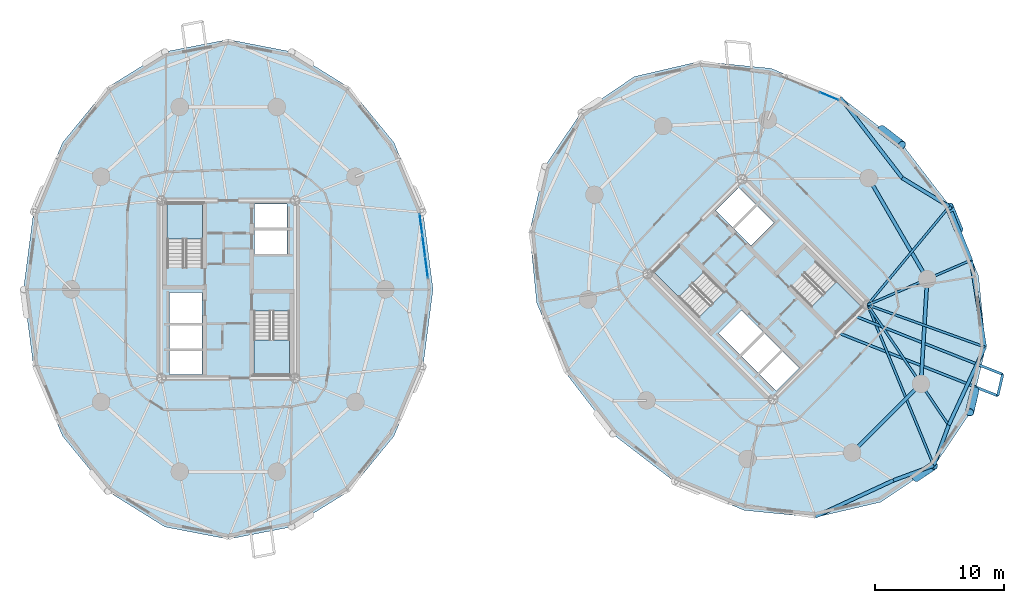
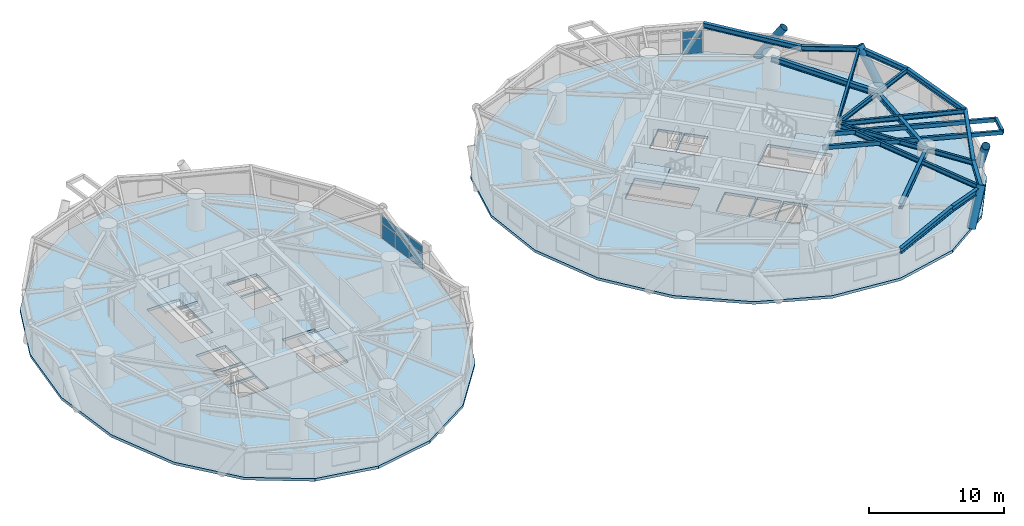
# One storey, part 8 of 16: 19 beams, 8 plates, 6 slabs, 4 members, 6 elements without a shape of their own.
"""IFC4 building model written with IfcOpenShell, lengths in metres."""

from ifc_helpers import new_model, si_unit, direction, frame, origin, origin_2d, place, context, subcontext, project, spatial, polyline, rectangle, hollow_rectangle, hollow_circle, i_section, outline, extrude, source, transform, mapped, material, layer, layer_set, material_profile, profile_set, type_object, element, aggregate, save


model = new_model("IFC4")

# Units and contexts
model_context = context("Model", 3, precision=1e-05, world=origin(), true_north=direction((0.0, 1.0)))
body_context = subcontext(model_context, "Body", "Model", "MODEL_VIEW")
ifc_project = project(units=[si_unit("LENGTHUNIT", "METRE"), si_unit("AREAUNIT", "SQUARE_METRE"), si_unit("VOLUMEUNIT", "CUBIC_METRE"), si_unit("PLANEANGLEUNIT", "RADIAN"), si_unit("MASSUNIT", "GRAM", prefix="KILO")], contexts=[model_context])

# Site, building, storey
site_placement = place(None, origin())
site = spatial("IfcSite", under=ifc_project, at=site_placement, CompositionType="ELEMENT")
building_placement = place(site_placement, origin())
building = spatial("IfcBuilding", under=site, at=building_placement, Name="Cununo Teusaquillo Station Towers", CompositionType="ELEMENT")
storey_placement = place(building_placement, frame((0.0, 0.0, 73.06005859375)))
storey = spatial("IfcBuildingStorey", under=building, at=storey_placement, Name="L22", CompositionType="ELEMENT", Elevation=73.06005859375)

# Beams
ifc_material_1 = material(Name="Steel EN 10025-2 S355J2", Category="steel")
ifc_material_profile_1 = material_profile(ifc_material_1, hollow_rectangle(XDim=0.199951171875, YDim=0.35009765625, WallThickness=0.013916015625, at=origin_2d()), Name="RHS 350x200x14")
ifc_profile_set_1 = profile_set([ifc_material_profile_1], Name="Steel EN 10025-2 S355J2")
beam_type_1 = type_object("IfcBeamType", Name="BM-BAL-CANT", PredefinedType="BEAM", material=ifc_profile_set_1)
beam_1_placement = place(storey_placement, frame((63.593505859375, 21.188720703125, 2.494873046875), z_axis=(0.930217566196, -0.367008555132, 0.0), x_axis=(0.367008555132, 0.930217566196, 0.0)))
element("IfcBeam", 1, at=beam_1_placement, inside=storey, type_object=beam_type_1, Name="L22 Tower B Balcony Cantilever Bracket 2A", PredefinedType="BEAM", context=body_context, shape_type="SweptSolid", body=[
    extrude(hollow_rectangle(XDim=0.199951171875, YDim=0.35009765625, WallThickness=0.013916015625, at=origin_2d()), origin(), (0.0, 0.0, 1.0), 13.44140625),
])
beam_2_placement = place(storey_placement, frame((64.894287109375, 22.48974609375, 2.494873046875), z_axis=(0.930220364523, -0.367001462432, 0.0), x_axis=(0.367001462432, 0.930220364523, 0.0)))
element("IfcBeam", 2, at=beam_2_placement, inside=storey, type_object=beam_type_1, Name="L22 Tower B Balcony Cantilever Bracket 2B", PredefinedType="BEAM", context=body_context, shape_type="SweptSolid", body=[
    extrude(hollow_rectangle(XDim=0.199951171875, YDim=0.35009765625, WallThickness=0.013916015625, at=origin_2d()), origin(), (0.0, 0.0, 1.0), 12.459716796875),
])
ifc_material_2 = material(Name="Steel ASTM A572 Grade 50", Category="steel")
ifc_material_profile_2 = material_profile(ifc_material_2, i_section(OverallWidth=0.180908203125, OverallDepth=0.4169921875, WebThickness=0.010986328125, FlangeThickness=0.018310546875, FilletRadius=0.012939453125, at=origin_2d()), Name="W16X57")
ifc_profile_set_2 = profile_set([ifc_material_profile_2], Name="Steel ASTM A572 Grade 50")
beam_type_2 = type_object("IfcBeamType", Name="BM-JOIST-1", PredefinedType="JOIST", material=ifc_profile_set_2)
beam_3_placement = place(storey_placement, frame((66.024169921875, 23.29443359375, 2.46142578125), z_axis=(0.380485864505, -0.924786735908, 0.0), x_axis=(0.924786735908, 0.380485864505, 0.0)))
element("IfcBeam", 3, at=beam_3_placement, inside=storey, type_object=beam_type_2, Name="L22 Tower B Radial Spandrel Joist V15", PredefinedType="JOIST", context=body_context, shape_type="SweptSolid", body=[
    extrude(i_section(OverallWidth=0.180908203125, OverallDepth=0.4169921875, WebThickness=0.010986328125, FlangeThickness=0.018310546875, FilletRadius=0.012939453125, at=origin_2d()), origin(), (0.0, 0.0, 1.0), 13.44580078125),
])
beam_4_placement = place(storey_placement, frame((66.024169921875, 23.29443359375, 2.46142578125), z_axis=(0.941082771055, -0.338176312038, 0.0), x_axis=(0.338176312038, 0.941082771055, 0.0)))
element("IfcBeam", 4, at=beam_4_placement, inside=storey, type_object=beam_type_2, Name="L22 Tower B Radial Spandrel Joist V17", PredefinedType="JOIST", context=body_context, shape_type="SweptSolid", body=[
    extrude(i_section(OverallWidth=0.180908203125, OverallDepth=0.4169921875, WebThickness=0.010986328125, FlangeThickness=0.018310546875, FilletRadius=0.012939453125, at=origin_2d()), origin(), (0.0, 0.0, 1.0), 9.646484375),
])
beam_5_placement = place(storey_placement, frame((66.024169921875, 23.29443359375, 2.46142578125), z_axis=(0.638372238196, 0.769727799615, 0.0), x_axis=(-0.769727799615, 0.638372238196, 0.0)))
element("IfcBeam", 5, at=beam_5_placement, inside=storey, type_object=beam_type_2, Name="L22 Tower B Radial Spandrel Joist V19", PredefinedType="JOIST", context=body_context, shape_type="SweptSolid", body=[
    extrude(i_section(OverallWidth=0.180908203125, OverallDepth=0.4169921875, WebThickness=0.010986328125, FlangeThickness=0.018310546875, FilletRadius=0.012939453125, at=origin_2d()), origin(), (0.0, 0.0, 1.0), 9.895263671875),
])
ifc_material_3 = material(Name="Steel ASTM A572 Grade 50", Category="steel")
ifc_material_profile_3 = material_profile(ifc_material_3, i_section(OverallWidth=0.180908203125, OverallDepth=0.4169921875, WebThickness=0.010986328125, FlangeThickness=0.018310546875, FilletRadius=0.012939453125, at=origin_2d()), Name="W16X57")
ifc_profile_set_3 = profile_set([ifc_material_profile_3], Name="Steel ASTM A572 Grade 50")
beam_type_3 = type_object("IfcBeamType", Name="BM-RAD-G2", PredefinedType="BEAM", material=ifc_profile_set_3)
beam_6_placement = place(storey_placement, frame((66.024169921875, 23.29443359375, 2.46142578125), z_axis=(0.558572297481, -0.82945583878, 0.0), x_axis=(0.82945583878, 0.558572297481, 0.0)))
element("IfcBeam", 6, at=beam_6_placement, inside=storey, type_object=beam_type_3, Name="L22 Tower B Continuous Overhanging Radial Girder 09", PredefinedType="BEAM", context=body_context, shape_type="SweptSolid", body=[
    extrude(i_section(OverallWidth=0.180908203125, OverallDepth=0.4169921875, WebThickness=0.010986328125, FlangeThickness=0.018310546875, FilletRadius=0.012939453125, at=origin_2d()), origin(), (0.0, 0.0, 1.0), 11.22998046875),
])
beam_7_placement = place(storey_placement, frame((66.024169921875, 23.29443359375, 2.46142578125), z_axis=(0.917654733344, 0.397378648609, 0.0), x_axis=(-0.397378648609, 0.917654733344, 0.0)))
element("IfcBeam", 7, at=beam_7_placement, inside=storey, type_object=beam_type_3, Name="L22 Tower B Continuous Overhanging Radial Girder 10", PredefinedType="BEAM", context=body_context, shape_type="SweptSolid", body=[
    extrude(i_section(OverallWidth=0.180908203125, OverallDepth=0.4169921875, WebThickness=0.010986328125, FlangeThickness=0.018310546875, FilletRadius=0.012939453125, at=origin_2d()), origin(), (0.0, 0.0, 1.0), 8.71484375),
])
ifc_material_4 = material(Name="Steel ASTM A572 Grade 50", Category="steel")
ifc_material_profile_4 = material_profile(ifc_material_4, i_section(OverallWidth=0.280029296875, OverallDepth=0.462890625, WebThickness=0.0107421875, FlangeThickness=0.017333984375, FilletRadius=0.013916015625, at=origin_2d()), Name="W18X76")
ifc_profile_set_4 = profile_set([ifc_material_profile_4], Name="Steel ASTM A572 Grade 50")
beam_type_4 = type_object("IfcBeamType", Name="BM-RING-Z2", PredefinedType="SPANDREL", material=ifc_profile_set_4)
beam_8_placement = place(storey_placement, frame((64.826904296875, 11.853759765625, 2.4384765625), z_axis=(0.707106781187, 0.707106781187, 0.0), x_axis=(-0.707106781187, 0.707106781187, 0.0)))
element("IfcBeam", 8, at=beam_8_placement, inside=storey, type_object=beam_type_4, Name="L22 Tower B Structural Column Ring Girder 08", PredefinedType="SPANDREL", context=body_context, shape_type="SweptSolid", body=[
    extrude(i_section(OverallWidth=0.280029296875, OverallDepth=0.462890625, WebThickness=0.0107421875, FlangeThickness=0.017333984375, FilletRadius=0.013916015625, at=origin_2d()), origin(), (0.0, 0.0, 1.0), 7.522705078125),
])
beam_9_placement = place(storey_placement, frame((70.146240234375, 17.173095703125, 2.4384765625), z_axis=(0.06012979176, 0.998190567048, 0.0), x_axis=(-0.998190567048, 0.06012979176, 0.0)))
element("IfcBeam", 9, at=beam_9_placement, inside=storey, type_object=beam_type_4, Name="L22 Tower B Structural Column Ring Girder 09", PredefinedType="SPANDREL", context=body_context, shape_type="SweptSolid", body=[
    extrude(i_section(OverallWidth=0.280029296875, OverallDepth=0.462890625, WebThickness=0.0107421875, FlangeThickness=0.017333984375, FilletRadius=0.013916015625, at=origin_2d()), origin(), (0.0, 0.0, 1.0), 8.132568359375),
])
beam_10_placement = place(storey_placement, frame((70.63525390625, 25.291015625, 2.4384765625), z_axis=(-0.501311121078, 0.865267103202, 0.0), x_axis=(-0.865267103202, -0.501311121078, 0.0)))
element("IfcBeam", 10, at=beam_10_placement, inside=storey, type_object=beam_type_4, Name="L22 Tower B Structural Column Ring Girder 10", PredefinedType="SPANDREL", context=body_context, shape_type="SweptSolid", body=[
    extrude(i_section(OverallWidth=0.280029296875, OverallDepth=0.462890625, WebThickness=0.0107421875, FlangeThickness=0.017333984375, FilletRadius=0.013916015625, at=origin_2d()), origin(), (0.0, 0.0, 1.0), 9.032958984375),
])
beam_11_placement = place(storey_placement, frame((68.694580078125, 33.12890625, 2.4384765625), z_axis=(-0.610100441726, 0.792324082056, 0.0), x_axis=(-0.792324082056, -0.610100441726, 0.0)))
element("IfcBeam", 11, at=beam_11_placement, inside=storey, type_object=beam_type_4, Name="L22 Tower B Spandrel Ring Beam 01", PredefinedType="SPANDREL", context=body_context, shape_type="SweptSolid", body=[
    extrude(i_section(OverallWidth=0.280029296875, OverallDepth=0.462890625, WebThickness=0.0107421875, FlangeThickness=0.017333984375, FilletRadius=0.013916015625, at=origin_2d()), origin(), (0.0, 0.0, 1.0), 7.84033203125),
])
beam_12_placement = place(storey_placement, frame((61.9677734375, 6.897705078125, 2.4384765625), z_axis=(0.907275870354, 0.420535961689, 0.0), x_axis=(-0.420535961689, 0.907275870354, 0.0)))
element("IfcBeam", 12, at=beam_12_placement, inside=storey, type_object=beam_type_4, Name="L22 Tower B Spandrel Ring Beam 14", PredefinedType="SPANDREL", context=body_context, shape_type="SweptSolid", body=[
    extrude(i_section(OverallWidth=0.280029296875, OverallDepth=0.462890625, WebThickness=0.0107421875, FlangeThickness=0.017333984375, FilletRadius=0.013916015625, at=origin_2d()), origin(), (0.0, 0.0, 1.0), 6.671142578125),
])
for number, where, z_axis, x_axis, name in (
    (13, (68.020263671875, 9.703125, 2.4384765625), (0.937628334414, 0.347639333943, 0.0), (-0.347639333943, 0.937628334414, 0.0), "L22 Tower B Spandrel Ring Beam 15"),
    (14, (71.14013671875, 10.85986328125, 2.4384765625), (0.347639333943, 0.937628334414, 0.0), (-0.937628334414, 0.347639333943, 0.0), "L22 Tower B Spandrel Ring Beam 16"),
):
    element("IfcBeam", number, at=place(storey_placement, frame(where, z_axis=z_axis, x_axis=x_axis)), inside=storey, type_object=beam_type_4, Name=name, PredefinedType="SPANDREL", context=body_context, shape_type="SweptSolid", body=[
        extrude(i_section(OverallWidth=0.280029296875, OverallDepth=0.462890625, WebThickness=0.0107421875, FlangeThickness=0.017333984375, FilletRadius=0.013916015625, at=origin_2d()), origin(), (0.0, 0.0, 1.0), 3.327392578125),
    ])
beam_13_placement = place(storey_placement, frame((72.296875, 13.979736328125, 2.4384765625), z_axis=(0.420535961689, 0.907275870354, 0.0), x_axis=(-0.907275870354, 0.420535961689, 0.0)))
element("IfcBeam", 15, at=beam_13_placement, inside=storey, type_object=beam_type_4, Name="L22 Tower B Spandrel Ring Beam 17", PredefinedType="SPANDREL", context=body_context, shape_type="SweptSolid", body=[
    extrude(i_section(OverallWidth=0.280029296875, OverallDepth=0.462890625, WebThickness=0.0107421875, FlangeThickness=0.017333984375, FilletRadius=0.013916015625, at=origin_2d()), origin(), (0.0, 0.0, 1.0), 6.671142578125),
])
beam_14_placement = place(storey_placement, frame((75.102294921875, 20.0322265625, 2.4384765625), z_axis=(-0.158671232312, 0.987331474246, 0.0), x_axis=(-0.987331474246, -0.158671232312, 0.0)))
element("IfcBeam", 16, at=beam_14_placement, inside=storey, type_object=beam_type_4, Name="L22 Tower B Spandrel Ring Beam 18", PredefinedType="SPANDREL", context=body_context, shape_type="SweptSolid", body=[
    extrude(i_section(OverallWidth=0.280029296875, OverallDepth=0.462890625, WebThickness=0.0107421875, FlangeThickness=0.017333984375, FilletRadius=0.013916015625, at=origin_2d()), origin(), (0.0, 0.0, 1.0), 6.8115234375),
])
beam_15_placement = place(storey_placement, frame((74.021484375, 26.757568359375, 2.4384765625), z_axis=(-0.375042266631, 0.927007712072, 0.0), x_axis=(-0.927007712072, -0.375042266631, 0.0)))
element("IfcBeam", 17, at=beam_15_placement, inside=storey, type_object=beam_type_4, Name="L22 Tower B Spandrel Ring Beam 19", PredefinedType="SPANDREL", context=body_context, shape_type="SweptSolid", body=[
    extrude(i_section(OverallWidth=0.280029296875, OverallDepth=0.462890625, WebThickness=0.0107421875, FlangeThickness=0.017333984375, FilletRadius=0.013916015625, at=origin_2d()), origin(), (0.0, 0.0, 1.0), 4.480712890625),
])
beam_16_placement = place(storey_placement, frame((72.341064453125, 30.9111328125, 2.4384765625), z_axis=(-0.854388492444, 0.519634779416, 0.0), x_axis=(-0.519634779416, -0.854388492444, 0.0)))
element("IfcBeam", 18, at=beam_16_placement, inside=storey, type_object=beam_type_4, Name="L22 Tower B Spandrel Ring Beam 20", PredefinedType="SPANDREL", context=body_context, shape_type="SweptSolid", body=[
    extrude(i_section(OverallWidth=0.280029296875, OverallDepth=0.462890625, WebThickness=0.0107421875, FlangeThickness=0.017333984375, FilletRadius=0.013916015625, at=origin_2d()), origin(), (0.0, 0.0, 1.0), 4.26806640625),
])
ifc_material_5 = material(Name="Steel EN 10025-2 S355J2", Category="steel")
ifc_material_profile_5 = material_profile(ifc_material_5, hollow_rectangle(XDim=0.199951171875, YDim=0.35009765625, WallThickness=0.013916015625, at=origin_2d()), Name="RHS 350x200x14")
ifc_profile_set_5 = profile_set([ifc_material_profile_5], Name="Steel EN 10025-2 S355J2")
beam_type_5 = type_object("IfcBeamType", Name="BM-STAIR-TRIM", PredefinedType="BEAM", material=ifc_profile_set_5)
beam_17_placement = place(storey_placement, frame((76.096923828125, 16.255615234375, 2.52490234375), z_axis=(0.22725223503, 0.973835931599, 0.0), x_axis=(-0.973835931599, 0.22725223503, 0.0)))
element("IfcBeam", 19, at=beam_17_placement, inside=storey, type_object=beam_type_5, Name="L22 Tower B Balcony Edge Trimmer Beam 2", PredefinedType="BEAM", context=body_context, shape_type="SweptSolid", body=[
    extrude(hollow_rectangle(XDim=0.199951171875, YDim=0.35009765625, WallThickness=0.013916015625, at=origin_2d()), origin(), (0.0, 0.0, 1.0), 1.7060546875),
])

# Members
ifc_material_6 = material(Name="Steel EN 10025-2 S355J2", Category="steel")
ifc_material_profile_6 = material_profile(ifc_material_6, hollow_circle(Radius=0.330078125, WallThickness=0.02490234375, at=origin_2d()), Name="CHS 660x25")
ifc_profile_set_6 = profile_set([ifc_material_profile_6], Name="Steel EN 10025-2 S355J2")
member_type = type_object("IfcMemberType", Name="MBR-DIAG-Z2", PredefinedType="BRACE", material=ifc_profile_set_6)
member_1_placement = place(storey_placement, frame((67.085693359375, 36.895751953125, -0.14013671875), z_axis=(0.449277419576, -0.346044496653, 0.823652236442), x_axis=(0.610205273886, 0.792243348803, 0.0)))
element("IfcMember", 20, at=member_1_placement, inside=storey, type_object=member_type, Name="L22 Tower B Folded-Zigzag Diagrid Tube C00", PredefinedType="BRACE", context=body_context, shape_type="SweptSolid", body=[
    extrude(hollow_circle(Radius=0.330078125, WallThickness=0.02490234375, at=origin_2d()), origin(), (0.0, 0.0, 1.0), 3.533203125),
])
member_2_placement = place(storey_placement, frame((69.7666015625, 9.931396484375, -0.14013671875), z_axis=(0.410098958558, 0.277214066725, 0.868890790261), x_axis=(-0.560024081213, 0.828476329452, 0.0)))
element("IfcMember", 21, at=member_2_placement, inside=storey, type_object=member_type, Name="L22 Tower B Folded-Zigzag Diagrid Tube C14", PredefinedType="BRACE", context=body_context, shape_type="SweptSolid", body=[
    extrude(hollow_circle(Radius=0.330078125, WallThickness=0.02490234375, at=origin_2d()), origin(), (0.0, 0.0, 1.0), 3.349365234375),
])
member_3_placement = place(storey_placement, frame((74.317626953125, 16.664306640625, -0.14013671875), z_axis=(-0.115899426578, -0.497494862811, 0.859689586069), x_axis=(0.973920299704, -0.226890391653, 0.0)))
element("IfcMember", 22, at=member_3_placement, inside=storey, type_object=member_type, Name="L22 Tower B Folded-Zigzag Diagrid Tube C16", PredefinedType="BRACE", context=body_context, shape_type="SweptSolid", body=[
    extrude(hollow_circle(Radius=0.330078125, WallThickness=0.02490234375, at=origin_2d()), origin(), (0.0, 0.0, 1.0), 3.385009765625),
])
member_4_placement = place(storey_placement, frame((73.07958984375, 29.114501953125, -0.14013671875), z_axis=(-0.211073502337, 0.513484265686, 0.831734263755), x_axis=(-0.924906987989, -0.380193455452, 0.0)))
element("IfcMember", 23, at=member_4_placement, inside=storey, type_object=member_type, Name="L22 Tower B Folded-Zigzag Diagrid Tube C18", PredefinedType="BRACE", context=body_context, shape_type="SweptSolid", body=[
    extrude(hollow_circle(Radius=0.330078125, WallThickness=0.02490234375, at=origin_2d()), origin(), (0.0, 0.0, 1.0), 3.4990234375),
])

# Stair, slab
ifc_material_7 = material(Name="Concrete C50/60", Category="concrete")
stair_type = type_object("IfcStairType", Name="ST-TWR-1300", PredefinedType="HALF_TURN_STAIR", material=ifc_material_7)
stair_1_placement = place(storey_placement, origin())
stair_1 = element("IfcStair", 24, at=stair_1_placement, inside=storey, type_object=stair_type, Name="L22 Tower A Protected Core Exit Stair 1", PredefinedType="HALF_TURN_STAIR")
ifc_material_8 = material(Name="Concrete C50/60", Category="concrete")
ifc_layer_1 = layer(ifc_material_8, 0.199951171875)
ifc_layer_set_1 = layer_set([ifc_layer_1], Name="Concrete C50/60")
slab_type_1 = type_object("IfcSlabType", Name="SLB-STAIR-LND", PredefinedType="LANDING", material=ifc_layer_set_1)
slab_1_placement = place(storey_placement, frame((0.0, 0.0, 1.2548828125)))
slab_1 = element("IfcSlab", 25, at=slab_1_placement, type_object=slab_type_1, Name="ST-T1-1 landing 1", PredefinedType="LANDING", context=body_context, shape_type="SweptSolid", body=[
    extrude(outline(polyline([(14.52001953125, 28.409912109375), (14.52001953125, 31.159912109375), (11.760009765625, 31.159912109375), (11.760009765625, 28.409912109375), (14.52001953125, 28.409912109375)])), origin(), (0.0, 0.0, 1.0), 0.199951171875),
])
aggregate(stair_1, [slab_1])

stair_2_placement = place(storey_placement, origin())
stair_2 = element("IfcStair", 26, at=stair_2_placement, inside=storey, type_object=stair_type, Name="L22 Tower A Protected Core Exit Stair 2", PredefinedType="HALF_TURN_STAIR")
slab_2_placement = place(storey_placement, frame((0.0, 0.0, 1.2548828125)))
slab_2 = element("IfcSlab", 27, at=slab_2_placement, type_object=slab_type_1, Name="ST-T1-2 landing 1", PredefinedType="LANDING", context=body_context, shape_type="SweptSolid", body=[
    extrude(outline(polyline([(18.47998046875, 20.590087890625), (18.47998046875, 17.840087890625), (21.239990234375, 17.840087890625), (21.239990234375, 20.590087890625), (18.47998046875, 20.590087890625)])), origin(), (0.0, 0.0, 1.0), 0.199951171875),
])
aggregate(stair_2, [slab_2])

stair_3_placement = place(storey_placement, origin())
stair_3 = element("IfcStair", 28, at=stair_3_placement, inside=storey, type_object=stair_type, Name="L22 Tower B Protected Core Exit Stair 1", PredefinedType="HALF_TURN_STAIR")
slab_3_placement = place(storey_placement, frame((0.0, 0.0, 1.2548828125)))
slab_3 = element("IfcSlab", 29, at=slab_3_placement, type_object=slab_type_1, Name="ST-T2-1 landing 1", PredefinedType="LANDING", context=body_context, shape_type="SweptSolid", body=[
    extrude(outline(polyline([(53.335205078125, 25.86474609375), (51.390625, 27.809326171875), (49.43896484375, 25.857666015625), (51.383544921875, 23.9130859375), (53.335205078125, 25.86474609375)])), origin(), (0.0, 0.0, 1.0), 0.199951171875),
])
aggregate(stair_3, [slab_3])

stair_4_placement = place(storey_placement, origin())
stair_4 = element("IfcStair", 30, at=stair_4_placement, inside=storey, type_object=stair_type, Name="L22 Tower B Protected Core Exit Stair 2", PredefinedType="HALF_TURN_STAIR")
slab_4_placement = place(storey_placement, frame((0.0, 0.0, 1.2548828125)))
slab_4 = element("IfcSlab", 31, at=slab_4_placement, type_object=slab_type_1, Name="ST-T2-2 landing 1", PredefinedType="LANDING", context=body_context, shape_type="SweptSolid", body=[
    extrude(outline(polyline([(61.664794921875, 23.13525390625), (63.609375, 21.190673828125), (65.56103515625, 23.142333984375), (63.616455078125, 25.0869140625), (61.664794921875, 23.13525390625)])), origin(), (0.0, 0.0, 1.0), 0.199951171875),
])
aggregate(stair_4, [slab_4])

# Slabs
ifc_material_9 = material(Name="Concrete C40/50", Category="concrete")
ifc_layer_2 = layer(ifc_material_9, 0.239990234375)
ifc_layer_set_2 = layer_set([ifc_layer_2], Name="Concrete C40/50")
slab_type_2 = type_object("IfcSlabType", Name="SLB-Z2-240", PredefinedType="FLOOR", material=ifc_layer_set_2)
slab_5_placement = place(storey_placement, frame((0.0, 0.0, -0.239990234375)))
element("IfcSlab", 32, at=slab_5_placement, inside=storey, type_object=slab_type_2, Name="L22 Tower A Floor Slab", PredefinedType="FLOOR", context=body_context, shape_type="SweptSolid", body=[
    extrude(outline(polyline([(32.361083984375, 24.5), (31.584716796875, 30.4794921875), (29.331787109375, 35.87353515625), (25.822998046875, 40.154541015625), (21.4013671875, 42.90283203125), (16.5, 43.85009765625), (11.5986328125, 42.90283203125), (7.177001953125, 40.154541015625), (3.668212890625, 35.87353515625), (1.415283203125, 30.4794921875), (0.638916015625, 24.5), (1.415283203125, 18.5205078125), (3.668212890625, 13.12646484375), (7.177001953125, 8.845458984375), (11.5986328125, 6.09716796875), (16.5, 5.14990234375), (21.4013671875, 6.09716796875), (25.822998046875, 8.845458984375), (29.331787109375, 13.12646484375), (31.584716796875, 18.5205078125), (32.361083984375, 24.5)]), holes=[polyline([(14.52001953125, 26.176025390625), (14.52001953125, 31.159912109375), (11.760009765625, 31.159912109375), (11.760009765625, 26.176025390625), (14.52001953125, 26.176025390625)]), polyline([(18.47998046875, 22.823974609375), (18.47998046875, 17.840087890625), (21.239990234375, 17.840087890625), (21.239990234375, 22.823974609375), (18.47998046875, 22.823974609375)]), polyline([(11.949951171875, 21.85009765625), (14.47998046875, 21.85009765625), (14.47998046875, 24.25), (11.949951171875, 24.25), (11.949951171875, 21.85009765625)]), polyline([(11.949951171875, 17.89990234375), (14.47998046875, 17.89990234375), (14.47998046875, 19.75), (11.949951171875, 19.75), (11.949951171875, 17.89990234375)]), polyline([(11.949951171875, 19.89990234375), (14.47998046875, 19.89990234375), (14.47998046875, 21.75), (11.949951171875, 21.75), (11.949951171875, 19.89990234375)]), polyline([(18.52001953125, 27.25), (21.050048828125, 27.25), (21.050048828125, 29.10009765625), (18.52001953125, 29.10009765625), (18.52001953125, 27.25)]), polyline([(18.52001953125, 29.25), (21.050048828125, 29.25), (21.050048828125, 31.10009765625), (18.52001953125, 31.10009765625), (18.52001953125, 29.25)])]), origin(), (0.0, 0.0, 1.0), 0.239990234375),
])
slab_6_placement = place(storey_placement, frame((0.0, 0.0, -0.239990234375)))
element("IfcSlab", 33, at=slab_6_placement, inside=storey, type_object=slab_type_2, Name="L22 Tower B Floor Slab", PredefinedType="FLOOR", context=body_context, shape_type="SweptSolid", body=[
    extrude(outline(polyline([(68.71533203125, 35.71533203125), (63.938232421875, 39.39453125), (58.531005859375, 41.61572265625), (53.02294921875, 42.16162109375), (47.952880859375, 40.978515625), (43.8173828125, 38.1826171875), (41.021484375, 34.047119140625), (39.83837890625, 28.97705078125), (40.38427734375, 23.468994140625), (42.60546875, 18.061767578125), (46.28466796875, 13.28466796875), (51.061767578125, 9.60546875), (56.468994140625, 7.38427734375), (61.97705078125, 6.83837890625), (67.047119140625, 8.021484375), (71.1826171875, 10.8173828125), (73.978515625, 14.952880859375), (75.16162109375, 20.02294921875), (74.61572265625, 25.531005859375), (72.39453125, 30.938232421875), (68.71533203125, 35.71533203125)]), holes=[polyline([(54.914794921875, 24.28515625), (51.390625, 27.809326171875), (49.43896484375, 25.857666015625), (52.963134765625, 22.33349609375), (54.914794921875, 24.28515625)]), polyline([(60.085205078125, 24.71484375), (63.609375, 21.190673828125), (65.56103515625, 23.142333984375), (62.036865234375, 26.66650390625), (60.085205078125, 24.71484375)]), polyline([(56.156494140625, 19.40869140625), (57.945556640625, 21.19775390625), (56.248291015625, 22.89501953125), (54.45947265625, 21.10595703125), (56.156494140625, 19.40869140625)]), polyline([(58.94970703125, 16.61572265625), (60.738525390625, 18.40478515625), (59.430419921875, 19.712890625), (57.641357421875, 17.923828125), (58.94970703125, 16.61572265625)]), polyline([(57.535400390625, 18.030029296875), (59.32421875, 19.819091796875), (58.01611328125, 21.127197265625), (56.227294921875, 19.338134765625), (57.535400390625, 18.030029296875)]), polyline([(56.98388671875, 27.872802734375), (58.772705078125, 29.661865234375), (57.464599609375, 30.969970703125), (55.67578125, 29.180908203125), (56.98388671875, 27.872802734375)]), polyline([(55.569580078125, 29.287109375), (57.358642578125, 31.076171875), (56.05029296875, 32.38427734375), (54.261474609375, 30.59521484375), (55.569580078125, 29.287109375)])]), origin(), (0.0, 0.0, 1.0), 0.239990234375),
])

# Curtain wall, plates
ifc_material_10 = material(Name="Ceramic-fritted dark low-E double glazing", Category="glass")
ifc_layer_3 = layer(ifc_material_10, 0.179931640625)
ifc_layer_set_3 = layer_set([ifc_layer_3], Name="Ceramic-fritted dark low-E double glazing")
curtain_wall_type = type_object("IfcCurtainWallType", Name="CW-SYS-04", PredefinedType="USERDEFINED", material=ifc_layer_set_3)
curtain_wall_1_placement = place(storey_placement, origin())
curtain_wall_1 = element("IfcCurtainWall", 34, at=curtain_wall_1_placement, inside=storey, type_object=curtain_wall_type, Name="L22 Tower A Facade Curtain Wall C00", ObjectType="FRITTED GLAZING", PredefinedType="USERDEFINED")
ifc_material_11 = material(Name="Ceramic-fritted dark low-E double glazing", Category="glass")
ifc_layer_4 = layer(ifc_material_11, 0.028076171875)
ifc_layer_set_4 = layer_set([ifc_layer_4], Name="Ceramic-fritted dark low-E double glazing")
plate_type = type_object("IfcPlateType", Name="CWP-FRIT-28", PredefinedType="CURTAIN_PANEL", material=ifc_layer_set_4)
shared_shape_1 = source(origin(), body_context, "Body", "SweptSolid", [
    extrude(rectangle(XDim=1.59228515625, YDim=0.028076171875, at=origin_2d()), origin(), (0.0, 0.0, 1.0), 1.31103515625),
])
plate_1_placement = place(storey_placement, frame((31.429443359375, 29.533935546875, 0.06982421875), z_axis=(0.0, 0.0, 1.0), x_axis=(0.128335852387, -0.991730764367, 0.0)))
plate_1 = element("IfcPlate", 35, at=plate_1_placement, type_object=plate_type, Name="CW-04 panel 1.1", PredefinedType="CURTAIN_PANEL", context=body_context, shape_type="MappedRepresentation", body=[
    mapped(shared_shape_1, transform((0.0, 0.0, 0.0), x_axis=(1.0, 0.0, 0.0), y_axis=(0.0, 1.0, 0.0), z_axis=(0.0, 0.0, 1.0), scale=1.0)),
])
plate_2_placement = place(storey_placement, frame((31.86083984375, 26.201904296875, 0.06982421875), z_axis=(0.0, 0.0, 1.0), x_axis=(0.128335852387, -0.991730764367, 0.0)))
plate_2 = element("IfcPlate", 36, at=plate_2_placement, type_object=plate_type, Name="CW-04 panel 3.1", PredefinedType="CURTAIN_PANEL", context=body_context, shape_type="MappedRepresentation", body=[
    mapped(shared_shape_1, transform((0.0, 0.0, 0.0), x_axis=(1.0, 0.0, 0.0), y_axis=(0.0, 1.0, 0.0), z_axis=(0.0, 0.0, 1.0), scale=1.0)),
])
shared_shape_2 = source(origin(), body_context, "Body", "SweptSolid", [
    extrude(rectangle(XDim=1.59228515625, YDim=0.028076171875, at=origin_2d()), origin(), (0.0, 0.0, 1.0), 0.657958984375),
])
plate_3_placement = place(storey_placement, frame((31.429443359375, 29.533935546875, 1.451171875), z_axis=(0.0, 0.0, 1.0), x_axis=(0.128335852387, -0.991730764367, 0.0)))
plate_3 = element("IfcPlate", 37, at=plate_3_placement, type_object=plate_type, Name="CW-04 panel 1.2", PredefinedType="CURTAIN_PANEL", context=body_context, shape_type="MappedRepresentation", body=[
    mapped(shared_shape_2, transform((0.0, 0.0, 0.0), x_axis=(1.0, 0.0, 0.0), y_axis=(0.0, 1.0, 0.0), z_axis=(0.0, 0.0, 1.0), scale=1.0)),
])
plate_4_placement = place(storey_placement, frame((31.86083984375, 26.201904296875, 1.451171875), z_axis=(0.0, 0.0, 1.0), x_axis=(0.128335852387, -0.991730764367, 0.0)))
plate_4 = element("IfcPlate", 38, at=plate_4_placement, type_object=plate_type, Name="CW-04 panel 3.2", PredefinedType="CURTAIN_PANEL", context=body_context, shape_type="MappedRepresentation", body=[
    mapped(shared_shape_2, transform((0.0, 0.0, 0.0), x_axis=(1.0, 0.0, 0.0), y_axis=(0.0, 1.0, 0.0), z_axis=(0.0, 0.0, 1.0), scale=1.0)),
])
shared_shape_3 = source(origin(), body_context, "Body", "SweptSolid", [
    extrude(rectangle(XDim=1.62744140625, YDim=0.028076171875, at=origin_2d()), origin(), (0.0, 0.0, 1.0), 1.31103515625),
])
plate_5_placement = place(storey_placement, frame((31.645263671875, 27.867919921875, 0.06982421875), z_axis=(0.0, 0.0, 1.0), x_axis=(0.128335852387, -0.991730764367, 0.0)))
plate_5 = element("IfcPlate", 39, at=plate_5_placement, type_object=plate_type, Name="CW-04 panel 2.1", PredefinedType="CURTAIN_PANEL", context=body_context, shape_type="MappedRepresentation", body=[
    mapped(shared_shape_3, transform((0.0, 0.0, 0.0), x_axis=(1.0, 0.0, 0.0), y_axis=(0.0, 1.0, 0.0), z_axis=(0.0, 0.0, 1.0), scale=1.0)),
])
shared_shape_4 = source(origin(), body_context, "Body", "SweptSolid", [
    extrude(rectangle(XDim=1.62744140625, YDim=0.028076171875, at=origin_2d()), origin(), (0.0, 0.0, 1.0), 0.657958984375),
])
plate_6_placement = place(storey_placement, frame((31.645263671875, 27.867919921875, 1.451171875), z_axis=(0.0, 0.0, 1.0), x_axis=(0.128335852387, -0.991730764367, 0.0)))
plate_6 = element("IfcPlate", 40, at=plate_6_placement, type_object=plate_type, Name="CW-04 panel 2.2", PredefinedType="CURTAIN_PANEL", context=body_context, shape_type="MappedRepresentation", body=[
    mapped(shared_shape_4, transform((0.0, 0.0, 0.0), x_axis=(1.0, 0.0, 0.0), y_axis=(0.0, 1.0, 0.0), z_axis=(0.0, 0.0, 1.0), scale=1.0)),
])
aggregate(curtain_wall_1, [plate_1, plate_3, plate_5, plate_6, plate_2, plate_4])

curtain_wall_2_placement = place(storey_placement, origin())
curtain_wall_2 = element("IfcCurtainWall", 41, at=curtain_wall_2_placement, inside=storey, type_object=curtain_wall_type, Name="L22 Tower B Facade Curtain Wall C01", ObjectType="FRITTED GLAZING", PredefinedType="USERDEFINED")
shared_shape_5 = source(origin(), body_context, "Body", "SweptSolid", [
    extrude(rectangle(XDim=1.531005859375, YDim=0.028076171875, at=origin_2d()), origin(), (0.0, 0.0, 1.0), 1.31103515625),
])
plate_7_placement = place(storey_placement, frame((63.03857421875, 39.463623046875, 0.06982421875), z_axis=(0.0, 0.0, 1.0), x_axis=(0.924562443652, -0.381030560176, 0.0)))
plate_7 = element("IfcPlate", 42, at=plate_7_placement, type_object=plate_type, Name="CW-04 panel 3.1", PredefinedType="CURTAIN_PANEL", context=body_context, shape_type="MappedRepresentation", body=[
    mapped(shared_shape_5, transform((0.0, 0.0, 0.0), x_axis=(1.0, 0.0, 0.0), y_axis=(0.0, 1.0, 0.0), z_axis=(0.0, 0.0, 1.0), scale=1.0)),
])
shared_shape_6 = source(origin(), body_context, "Body", "SweptSolid", [
    extrude(rectangle(XDim=1.531005859375, YDim=0.028076171875, at=origin_2d()), origin(), (0.0, 0.0, 1.0), 0.657958984375),
])
plate_8_placement = place(storey_placement, frame((63.03857421875, 39.463623046875, 1.451171875), z_axis=(0.0, 0.0, 1.0), x_axis=(0.924562443652, -0.381030560176, 0.0)))
plate_8 = element("IfcPlate", 43, at=plate_8_placement, type_object=plate_type, Name="CW-04 panel 3.2", PredefinedType="CURTAIN_PANEL", context=body_context, shape_type="MappedRepresentation", body=[
    mapped(shared_shape_6, transform((0.0, 0.0, 0.0), x_axis=(1.0, 0.0, 0.0), y_axis=(0.0, 1.0, 0.0), z_axis=(0.0, 0.0, 1.0), scale=1.0)),
])
aggregate(curtain_wall_2, [plate_7, plate_8])

save(model, "model.ifc")
